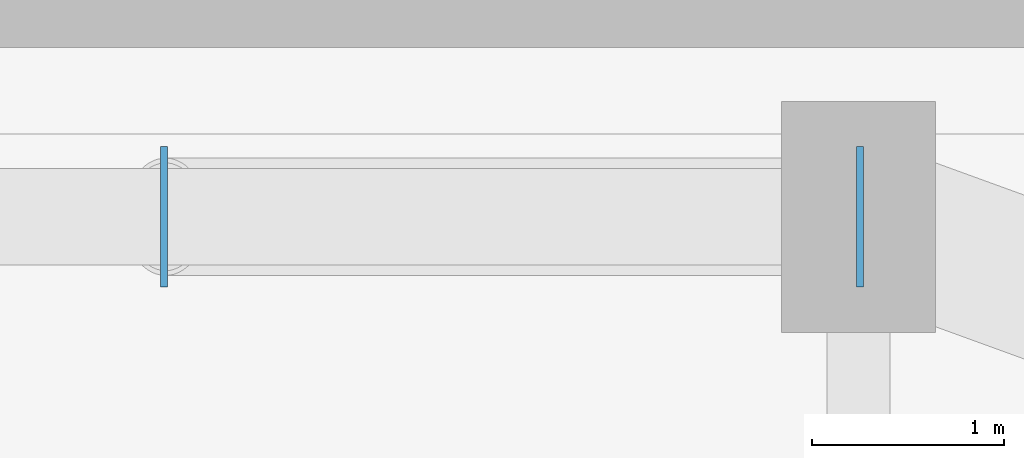
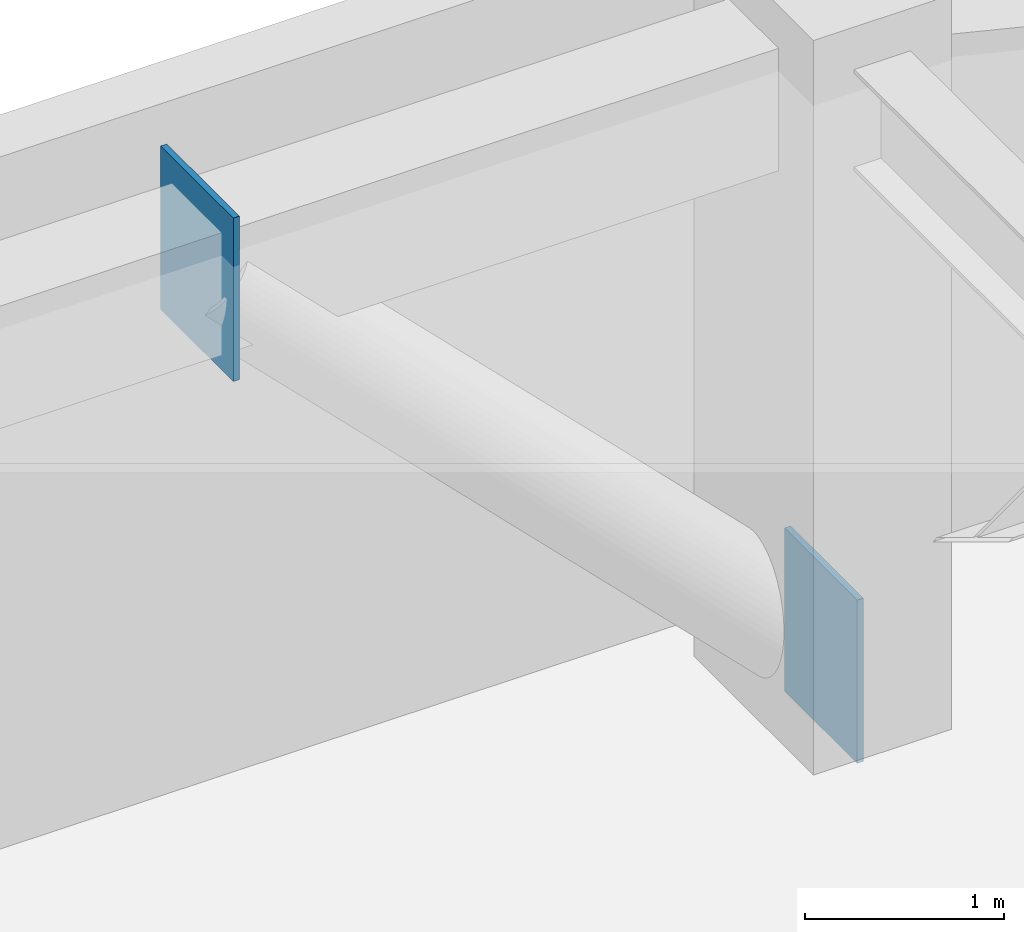
# One storey, part 13 of 20: 2 plates.
"""IFC4 building model written with IfcOpenShell, lengths in metres."""

from ifc_helpers import new_model, si_unit, direction, frame, origin, origin_2d, place, context, subcontext, project, spatial, rectangle, extrude, material, layer, layer_set, type_object, element, save


model = new_model("IFC4")

# Units and contexts
model_context = context("Model", 3, precision=1e-05, world=origin(), true_north=direction((0.0, 1.0)))
body_context = subcontext(model_context, "Body", "Model", "MODEL_VIEW")
ifc_project = project(units=[si_unit("LENGTHUNIT", "METRE"), si_unit("AREAUNIT", "SQUARE_METRE"), si_unit("VOLUMEUNIT", "CUBIC_METRE"), si_unit("PLANEANGLEUNIT", "RADIAN"), si_unit("MASSUNIT", "GRAM", prefix="KILO")], contexts=[model_context])

# Site, building, storey
site_placement = place(None, origin())
site = spatial("IfcSite", under=ifc_project, at=site_placement, CompositionType="ELEMENT")
building_placement = place(site_placement, origin())
building = spatial("IfcBuilding", under=site, at=building_placement, Name="Kiyonajd Concourse Tower", CompositionType="ELEMENT")
storey_placement = place(building_placement, frame((0.0, 0.0, 125.39990234375)))
storey = spatial("IfcBuildingStorey", under=building, at=storey_placement, Name="L32", CompositionType="ELEMENT", Elevation=125.39990234375)

# Plates
ifc_material = material(Name="Steel ASTM A572 Grade 50", Category="steel")
ifc_layer = layer(ifc_material, 0.028076171875)
ifc_layer_set = layer_set([ifc_layer], Name="Steel ASTM A572 Grade 50")
plate_type = type_object("IfcPlateType", Name="PL-CAP-450", PredefinedType="USERDEFINED", material=ifc_layer_set)
for number, where, z_axis, x_axis, name in (
    (1, (63.60791015625, 61.199951171875, -0.208251953125), (0.0, 0.0, 1.0), (1.0, 0.0, 0.0), "L32 Hollow Brace End Cap Plate PBN"),
    (2, (59.9921875, 61.199951171875, 3.3974609375), (0.0, 0.0, 1.0), (-1.0, 0.0, 0.0), "L32 Hollow Brace Top Cap Plate PBN"),
):
    element("IfcPlate", number, at=place(storey_placement, frame(where, z_axis=z_axis, x_axis=x_axis)), inside=storey, type_object=plate_type, Name=name, ObjectType="CAP PLATE", PredefinedType="USERDEFINED", context=body_context, shape_type="SweptSolid", body=[
        extrude(rectangle(XDim=0.035888671875, YDim=0.72998046875, at=origin_2d()), origin(), (0.0, 0.0, 1.0), 1.0009765625),
    ])

save(model, "model.ifc")
